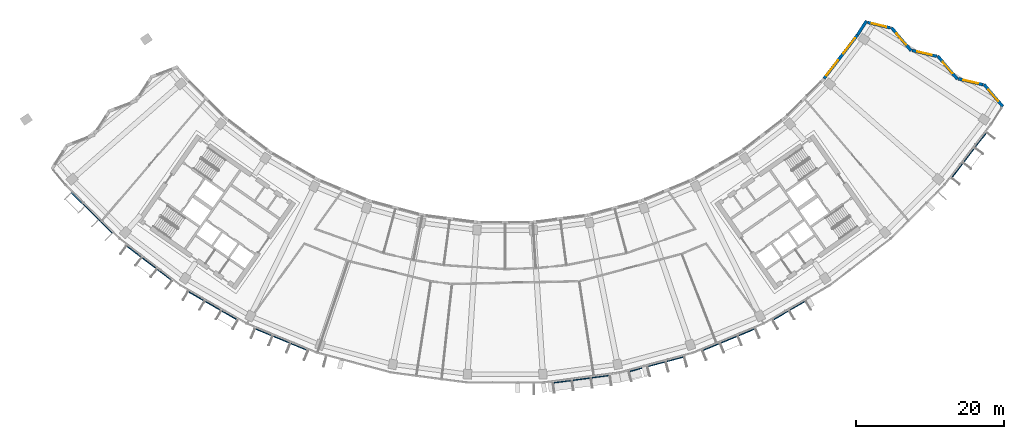
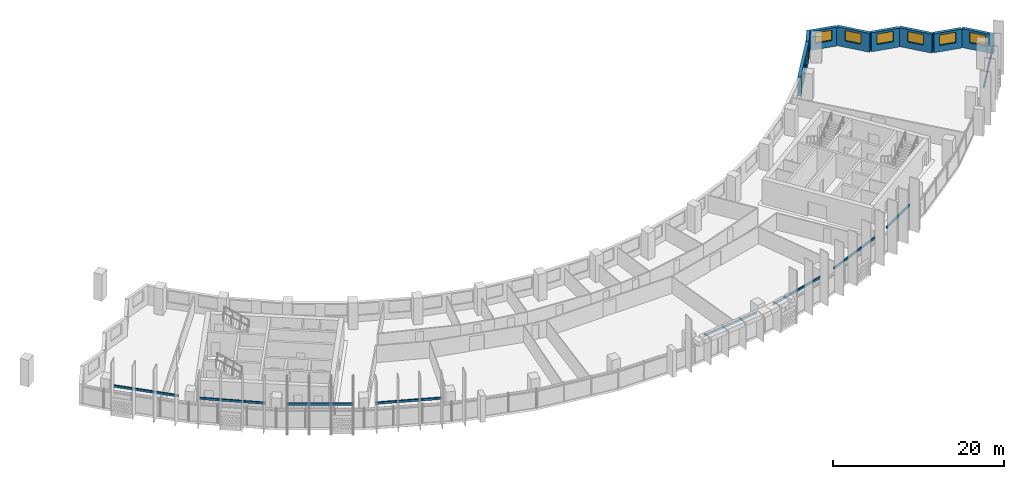
# One storey, part 8 of 27: 9 discrete accessories, 8 walls, 8 windows, 8 openings.
"""IFC4 building model written with IfcOpenShell, lengths in metres."""

from ifc_helpers import new_model, si_unit, direction, frame, frame_2d, origin, origin_2d, place, context, subcontext, project, spatial, rectangle, extrude, material, layer, layer_set, type_object, element, fill, save


model = new_model("IFC4")

# Units and contexts
model_context = context("Model", 3, precision=1e-05, world=origin(), true_north=direction((0.0, 1.0)))
body_context = subcontext(model_context, "Body", "Model", "MODEL_VIEW")
ifc_project = project(units=[si_unit("LENGTHUNIT", "METRE"), si_unit("AREAUNIT", "SQUARE_METRE"), si_unit("VOLUMEUNIT", "CUBIC_METRE"), si_unit("PLANEANGLEUNIT", "RADIAN"), si_unit("MASSUNIT", "GRAM", prefix="KILO")], contexts=[model_context])

# Site, building, storey
site_placement = place(None, origin())
site = spatial("IfcSite", under=ifc_project, at=site_placement, CompositionType="ELEMENT")
building_placement = place(site_placement, origin())
building = spatial("IfcBuilding", under=site, at=building_placement, Name="Qamariyya Broadcast Tower", CompositionType="ELEMENT")
storey_placement = place(building_placement, frame((0.0, 0.0, 179.699951171875)))
storey = spatial("IfcBuildingStorey", under=building, at=storey_placement, Name="L42", CompositionType="ELEMENT", Elevation=179.699951171875)

# Wall, opening, window
ifc_material_1 = material(Name="Terracotta", Category="masonry")
ifc_layer = layer(ifc_material_1, 0.39990234375)
ifc_layer_set = layer_set([ifc_layer], Name="Terracotta clad wall 400")
wall_type = type_object("IfcWallType", Name="Terracotta clad wall 400", PredefinedType="SOLIDWALL", material=ifc_layer_set)
wall_1_placement = place(storey_placement, frame((67.17822265625, -41.45263671875, 0.0), z_axis=(0.0, 0.0, 1.0), x_axis=(-0.647946542335, 0.761685813362, 0.0)))
wall_1 = element("IfcWall", 1, at=wall_1_placement, inside=storey, type_object=wall_type, Name="e-wl-L42-capE0", PredefinedType="SOLIDWALL", context=body_context, shape_type="SweptSolid", body=[
    extrude(rectangle(XDim=3.921630859375, YDim=0.39990234375, at=frame_2d((1.9609375, 0.0))), origin(), (0.0, 0.0, 1.0), 2.699951171875),
])
opening_1_placement = place(wall_1_placement, frame((0.9609375, 0.0, 0.89990234375)))
opening_1 = element("IfcOpeningElement", 2, at=opening_1_placement, cuts=wall_1, Name="Opening W4", PredefinedType="OPENING", context=body_context, shape_type="SweptSolid", body=[
    extrude(rectangle(XDim=2.0, YDim=1.5, at=frame_2d((1.0, 0.75))), frame((0.0, 0.2099609375, 0.0), z_axis=(0.0, -1.0, 0.0), x_axis=(1.0, 0.0, 0.0)), (0.0, 0.0, 1.0), 0.419921875),
])
ifc_material_2 = material(Name="Clear low-e double glazed unit in aluminium frame", Category="aluminium")
window_type_1 = type_object("IfcWindowType", Name="Horn bay window 2000 x 1500", PartitioningType="SINGLE_PANEL", PredefinedType="WINDOW", material=ifc_material_2)
window_1_placement = place(opening_1_placement, origin())
window_1 = element("IfcWindow", 3, at=window_1_placement, inside=storey, type_object=window_type_1, Name="e-w-L42-capE0", OverallHeight=1.5, OverallWidth=2.0, PartitioningType="SINGLE_PANEL", PredefinedType="WINDOW", context=body_context, shape_type="SweptSolid", body=[
    extrude(rectangle(XDim=2.0, YDim=1.5, at=frame_2d((1.0, 0.75))), frame((0.0, 0.030029296875, 0.0), z_axis=(0.0, -1.0, 0.0), x_axis=(1.0, 0.0, 0.0)), (0.0, 0.0, 1.0), 0.06005859375),
])
fill(opening_1, window_1)

wall_2_placement = place(storey_placement, frame((64.506103515625, -38.50732421875, 0.0), z_axis=(0.0, 0.0, 1.0), x_axis=(-0.972875118575, 0.231330939688, 0.0)))
wall_2 = element("IfcWall", 4, at=wall_2_placement, inside=storey, type_object=wall_type, Name="e-wl-L42-capE1", PredefinedType="SOLIDWALL", context=body_context, shape_type="SweptSolid", body=[
    extrude(rectangle(XDim=3.41943359375, YDim=0.39990234375, at=frame_2d((1.709716796875, 0.0))), origin(), (0.0, 0.0, 1.0), 2.699951171875),
])
opening_2_placement = place(wall_2_placement, frame((0.709716796875, 0.0, 0.89990234375)))
opening_2 = element("IfcOpeningElement", 5, at=opening_2_placement, cuts=wall_2, Name="Opening W4", PredefinedType="OPENING", context=body_context, shape_type="SweptSolid", body=[
    extrude(rectangle(XDim=2.0, YDim=1.5, at=frame_2d((1.0, 0.75))), frame((0.0, 0.2099609375, 0.0), z_axis=(0.0, -1.0, 0.0), x_axis=(1.0, 0.0, 0.0)), (0.0, 0.0, 1.0), 0.419921875),
])
window_2_placement = place(opening_2_placement, origin())
window_2 = element("IfcWindow", 6, at=window_2_placement, inside=storey, type_object=window_type_1, Name="e-w-L42-capE1", OverallHeight=1.5, OverallWidth=2.0, PartitioningType="SINGLE_PANEL", PredefinedType="WINDOW", context=body_context, shape_type="SweptSolid", body=[
    extrude(rectangle(XDim=2.0, YDim=1.5, at=frame_2d((1.0, 0.75))), frame((0.0, 0.030029296875, 0.0), z_axis=(0.0, -1.0, 0.0), x_axis=(1.0, 0.0, 0.0)), (0.0, 0.0, 1.0), 0.06005859375),
])
fill(opening_2, window_2)

wall_3_placement = place(storey_placement, frame((61.04833984375, -37.758056640625, 0.0), z_axis=(0.0, 0.0, 1.0), x_axis=(-0.64797268559, 0.761663573193, 0.0)))
wall_3 = element("IfcWall", 7, at=wall_3_placement, inside=storey, type_object=wall_type, Name="e-wl-L42-capE2", PredefinedType="SOLIDWALL", context=body_context, shape_type="SweptSolid", body=[
    extrude(rectangle(XDim=4.10791015625, YDim=0.39990234375, at=frame_2d((2.053955078125, 0.0))), origin(), (0.0, 0.0, 1.0), 2.699951171875),
])
opening_3_placement = place(wall_3_placement, frame((1.053955078125, 0.0, 0.89990234375)))
opening_3 = element("IfcOpeningElement", 8, at=opening_3_placement, cuts=wall_3, Name="Opening W4", PredefinedType="OPENING", context=body_context, shape_type="SweptSolid", body=[
    extrude(rectangle(XDim=2.0, YDim=1.5, at=frame_2d((1.0, 0.75))), frame((0.0, 0.2099609375, 0.0), z_axis=(0.0, -1.0, 0.0), x_axis=(1.0, 0.0, 0.0)), (0.0, 0.0, 1.0), 0.419921875),
])
window_3_placement = place(opening_3_placement, origin())
window_3 = element("IfcWindow", 9, at=window_3_placement, inside=storey, type_object=window_type_1, Name="e-w-L42-capE2", OverallHeight=1.5, OverallWidth=2.0, PartitioningType="SINGLE_PANEL", PredefinedType="WINDOW", context=body_context, shape_type="SweptSolid", body=[
    extrude(rectangle(XDim=2.0, YDim=1.5, at=frame_2d((1.0, 0.75))), frame((0.0, 0.030029296875, 0.0), z_axis=(0.0, -1.0, 0.0), x_axis=(1.0, 0.0, 0.0)), (0.0, 0.0, 1.0), 0.06005859375),
])
fill(opening_3, window_3)

wall_4_placement = place(storey_placement, frame((58.255126953125, -34.6708984375, 0.0), z_axis=(0.0, 0.0, 1.0), x_axis=(-0.972891975278, 0.231260036408, 0.0)))
wall_4 = element("IfcWall", 10, at=wall_4_placement, inside=storey, type_object=wall_type, Name="e-wl-L42-capE3", PredefinedType="SOLIDWALL", context=body_context, shape_type="SweptSolid", body=[
    extrude(rectangle(XDim=3.41845703125, YDim=0.39990234375, at=frame_2d((1.709228515625, 0.0))), origin(), (0.0, 0.0, 1.0), 2.699951171875),
])
opening_4_placement = place(wall_4_placement, frame((0.709228515625, 0.0, 0.89990234375)))
opening_4 = element("IfcOpeningElement", 11, at=opening_4_placement, cuts=wall_4, Name="Opening W4", PredefinedType="OPENING", context=body_context, shape_type="SweptSolid", body=[
    extrude(rectangle(XDim=2.0, YDim=1.5, at=frame_2d((1.0, 0.75))), frame((0.0, 0.2099609375, 0.0), z_axis=(0.0, -1.0, 0.0), x_axis=(1.0, 0.0, 0.0)), (0.0, 0.0, 1.0), 0.419921875),
])
window_4_placement = place(opening_4_placement, origin())
window_4 = element("IfcWindow", 12, at=window_4_placement, inside=storey, type_object=window_type_1, Name="e-w-L42-capE3", OverallHeight=1.5, OverallWidth=2.0, PartitioningType="SINGLE_PANEL", PredefinedType="WINDOW", context=body_context, shape_type="SweptSolid", body=[
    extrude(rectangle(XDim=2.0, YDim=1.5, at=frame_2d((1.0, 0.75))), frame((0.0, 0.030029296875, 0.0), z_axis=(0.0, -1.0, 0.0), x_axis=(1.0, 0.0, 0.0)), (0.0, 0.0, 1.0), 0.06005859375),
])
fill(opening_4, window_4)

wall_5_placement = place(storey_placement, frame((54.798095703125, -33.922119140625, 0.0), z_axis=(0.0, 0.0, 1.0), x_axis=(-0.648022586396, 0.76162111809, 0.0)))
wall_5 = element("IfcWall", 13, at=wall_5_placement, inside=storey, type_object=wall_type, Name="e-wl-L42-capE4", PredefinedType="SOLIDWALL", context=body_context, shape_type="SweptSolid", body=[
    extrude(rectangle(XDim=4.109130859375, YDim=0.39990234375, at=frame_2d((2.0546875, 0.0))), origin(), (0.0, 0.0, 1.0), 2.699951171875),
])
opening_5_placement = place(wall_5_placement, frame((1.0546875, 0.0, 0.89990234375)))
opening_5 = element("IfcOpeningElement", 14, at=opening_5_placement, cuts=wall_5, Name="Opening W4", PredefinedType="OPENING", context=body_context, shape_type="SweptSolid", body=[
    extrude(rectangle(XDim=2.0, YDim=1.5, at=frame_2d((1.0, 0.75))), frame((0.0, 0.2099609375, 0.0), z_axis=(0.0, -1.0, 0.0), x_axis=(1.0, 0.0, 0.0)), (0.0, 0.0, 1.0), 0.419921875),
])
window_5_placement = place(opening_5_placement, origin())
window_5 = element("IfcWindow", 15, at=window_5_placement, inside=storey, type_object=window_type_1, Name="e-w-L42-capE4", OverallHeight=1.5, OverallWidth=2.0, PartitioningType="SINGLE_PANEL", PredefinedType="WINDOW", context=body_context, shape_type="SweptSolid", body=[
    extrude(rectangle(XDim=2.0, YDim=1.5, at=frame_2d((1.0, 0.75))), frame((0.0, 0.030029296875, 0.0), z_axis=(0.0, -1.0, 0.0), x_axis=(1.0, 0.0, 0.0)), (0.0, 0.0, 1.0), 0.06005859375),
])
fill(opening_5, window_5)

wall_6_placement = place(storey_placement, frame((52.004150390625, -30.834228515625, 0.0), z_axis=(0.0, 0.0, 1.0), x_axis=(-0.97293071326, 0.231097008194, 0.0)))
wall_6 = element("IfcWall", 16, at=wall_6_placement, inside=storey, type_object=wall_type, Name="e-wl-L42-capE5", PredefinedType="SOLIDWALL", context=body_context, shape_type="SweptSolid", body=[
    extrude(rectangle(XDim=3.173583984375, YDim=0.39990234375, at=frame_2d((1.5869140625, 0.0))), origin(), (0.0, 0.0, 1.0), 2.699951171875),
])
opening_6_placement = place(wall_6_placement, frame((0.586669921875, 0.0, 0.89990234375)))
opening_6 = element("IfcOpeningElement", 17, at=opening_6_placement, cuts=wall_6, Name="Opening W4", PredefinedType="OPENING", context=body_context, shape_type="SweptSolid", body=[
    extrude(rectangle(XDim=2.0, YDim=1.5, at=frame_2d((1.0, 0.75))), frame((0.0, 0.2099609375, 0.0), z_axis=(0.0, -1.0, 0.0), x_axis=(1.0, 0.0, 0.0)), (0.0, 0.0, 1.0), 0.419921875),
])
window_6_placement = place(opening_6_placement, origin())
window_6 = element("IfcWindow", 18, at=window_6_placement, inside=storey, type_object=window_type_1, Name="e-w-L42-capE5", OverallHeight=1.5, OverallWidth=2.0, PartitioningType="SINGLE_PANEL", PredefinedType="WINDOW", context=body_context, shape_type="SweptSolid", body=[
    extrude(rectangle(XDim=2.0, YDim=1.5, at=frame_2d((1.0, 0.75))), frame((0.0, 0.030029296875, 0.0), z_axis=(0.0, -1.0, 0.0), x_axis=(1.0, 0.0, 0.0)), (0.0, 0.0, 1.0), 0.06005859375),
])
fill(opening_6, window_6)

# Wall, openings, windows
wall_7_placement = place(storey_placement, frame((47.538330078125, -31.8076171875, 0.0), z_axis=(0.0, 0.0, 1.0), x_axis=(-0.608769016477, -0.793347518165, 0.0)))
wall_7 = element("IfcWall", 19, at=wall_7_placement, inside=storey, type_object=wall_type, Name="e-wl-L42-in140", PredefinedType="SOLIDWALL", context=body_context, shape_type="SweptSolid", body=[
    extrude(rectangle(XDim=7.395263671875, YDim=0.39990234375, at=frame_2d((3.69775390625, 0.0))), origin(), (0.0, 0.0, 1.0), 2.699951171875),
])
opening_7_placement = place(wall_7_placement, frame((4.268798828125, 0.0, 0.89990234375)))
opening_7 = element("IfcOpeningElement", 20, at=opening_7_placement, cuts=wall_7, Name="Opening W1", PredefinedType="OPENING", context=body_context, shape_type="SweptSolid", body=[
    extrude(rectangle(XDim=2.60009765625, YDim=1.64990234375, at=frame_2d((1.300048828125, 0.824951171875))), frame((0.0, 0.2099609375, 0.0), z_axis=(0.0, -1.0, 0.0), x_axis=(1.0, 0.0, 0.0)), (0.0, 0.0, 1.0), 0.419921875),
])
opening_8_placement = place(wall_7_placement, frame((0.540771484375, 0.0, 0.89990234375)))
opening_8 = element("IfcOpeningElement", 21, at=opening_8_placement, cuts=wall_7, Name="Opening W1", PredefinedType="OPENING", context=body_context, shape_type="SweptSolid", body=[
    extrude(rectangle(XDim=2.60009765625, YDim=1.64990234375, at=frame_2d((1.300048828125, 0.824951171875))), frame((0.0, 0.2099609375, 0.0), z_axis=(0.0, -1.0, 0.0), x_axis=(1.0, 0.0, 0.0)), (0.0, 0.0, 1.0), 0.419921875),
])
window_type_2 = type_object("IfcWindowType", Name="Ribbon window 2600 x 1650", PartitioningType="SINGLE_PANEL", PredefinedType="WINDOW", material=ifc_material_2)
window_7_placement = place(opening_7_placement, origin())
window_7 = element("IfcWindow", 22, at=window_7_placement, inside=storey, type_object=window_type_2, Name="e-w-L42-in14-0", OverallHeight=1.64990234375, OverallWidth=2.60009765625, PartitioningType="SINGLE_PANEL", PredefinedType="WINDOW", context=body_context, shape_type="SweptSolid", body=[
    extrude(rectangle(XDim=2.60009765625, YDim=1.64990234375, at=frame_2d((1.300048828125, 0.824951171875))), frame((0.0, 0.030029296875, 0.0), z_axis=(0.0, -1.0, 0.0), x_axis=(1.0, 0.0, 0.0)), (0.0, 0.0, 1.0), 0.06005859375),
])
fill(opening_7, window_7)
window_8_placement = place(opening_8_placement, origin())
window_8 = element("IfcWindow", 23, at=window_8_placement, inside=storey, type_object=window_type_2, Name="e-w-L42-in14-1", OverallHeight=1.64990234375, OverallWidth=2.60009765625, PartitioningType="SINGLE_PANEL", PredefinedType="WINDOW", context=body_context, shape_type="SweptSolid", body=[
    extrude(rectangle(XDim=2.60009765625, YDim=1.64990234375, at=frame_2d((1.300048828125, 0.824951171875))), frame((0.0, 0.030029296875, 0.0), z_axis=(0.0, -1.0, 0.0), x_axis=(1.0, 0.0, 0.0)), (0.0, 0.0, 1.0), 0.06005859375),
])
fill(opening_8, window_8)

# Wall
wall_8_placement = place(storey_placement, frame((48.774658203125, -29.8828125, 0.0), z_axis=(0.0, 0.0, 1.0), x_axis=(-0.539425799772, -0.842033138624, 0.0)))
element("IfcWall", 24, at=wall_8_placement, inside=storey, type_object=wall_type, Name="e-wl-L42-in150", PredefinedType="SOLIDWALL", context=body_context, shape_type="SweptSolid", body=[
    extrude(rectangle(XDim=2.27099609375, YDim=0.39990234375, at=frame_2d((1.135498046875, 0.0))), origin(), (0.0, 0.0, 1.0), 2.699951171875),
])

# Discrete accessories
ifc_material_3 = material(Name="Stainless steel 316", Category="steel")
discrete_accessory_type = type_object("IfcDiscreteAccessoryType", Name="Slab edge fixing angle, stainless steel", PredefinedType="BRACKET", material=ifc_material_3)
for number, where, z_axis, x_axis, name in (
    (25, (-55.794921875, -55.794921875, 3.2998046875), (0.0, 0.0, 1.0), (0.707106781187, -0.707106781187, 0.0), "e-br-L42-01-0"),
    (26, (-48.034912109375, -62.600341796875, 3.2998046875), (0.0, 0.0, 1.0), (0.793353340291, -0.608761429009, 0.0), "e-br-L42-02-0"),
    (27, (-39.452880859375, -68.33447265625, 3.2998046875), (0.0, 0.0, 1.0), (0.866025403784, -0.5, 0.0), "e-br-L42-03-0"),
    (28, (-30.196044921875, -72.8994140625, 3.2998046875), (0.0, 0.0, 1.0), (0.923879532511, -0.382683432365, 0.0), "e-br-L42-04-0"),
    (29, (10.29931640625, -78.230712890625, 3.2998046875), (0.0, 0.0, 1.0), (0.991444861374, 0.13052619222, 0.0), "e-br-L42-08-0"),
    (30, (20.42236328125, -76.21728515625, 3.2998046875), (0.0, 0.0, 1.0), (0.965925826289, 0.258819045103, 0.0), "e-br-L42-09-0"),
    (31, (30.196044921875, -72.8994140625, 3.2998046875), (0.0, 0.0, 1.0), (0.923879532511, 0.382683432365, 0.0), "e-br-L42-10-0"),
):
    element("IfcDiscreteAccessory", number, at=place(storey_placement, frame(where, z_axis=z_axis, x_axis=x_axis)), inside=storey, type_object=discrete_accessory_type, Name=name, PredefinedType="BRACKET", context=body_context, shape_type="SweptSolid", body=[
        extrude(rectangle(XDim=7.850341796875, YDim=0.14990234375, at=origin_2d()), origin(), (0.0, 0.0, 1.0), 0.300048828125),
    ])
discrete_accessory_1_placement = place(storey_placement, frame((38.334228515625, -68.980224609375, 3.2998046875), z_axis=(0.0, 0.0, 1.0), x_axis=(0.866025403784, 0.5, 0.0)))
element("IfcDiscreteAccessory", 32, at=discrete_accessory_1_placement, inside=storey, type_object=discrete_accessory_type, Name="e-br-L42-11-0", PredefinedType="BRACKET", context=body_context, shape_type="SweptSolid", body=[
    extrude(rectangle(XDim=5.266845703125, YDim=0.14990234375, at=origin_2d()), origin(), (0.0, 0.0, 1.0), 0.300048828125),
])
discrete_accessory_2_placement = place(storey_placement, frame((62.600341796875, -48.034912109375, 3.2998046875), z_axis=(0.0, 0.0, 1.0), x_axis=(0.608761429009, 0.793353340291, 0.0)))
element("IfcDiscreteAccessory", 33, at=discrete_accessory_2_placement, inside=storey, type_object=discrete_accessory_type, Name="e-br-L42-14-0", PredefinedType="BRACKET", context=body_context, shape_type="SweptSolid", body=[
    extrude(rectangle(XDim=7.850341796875, YDim=0.14990234375, at=origin_2d()), origin(), (0.0, 0.0, 1.0), 0.300048828125),
])

save(model, "model.ifc")
